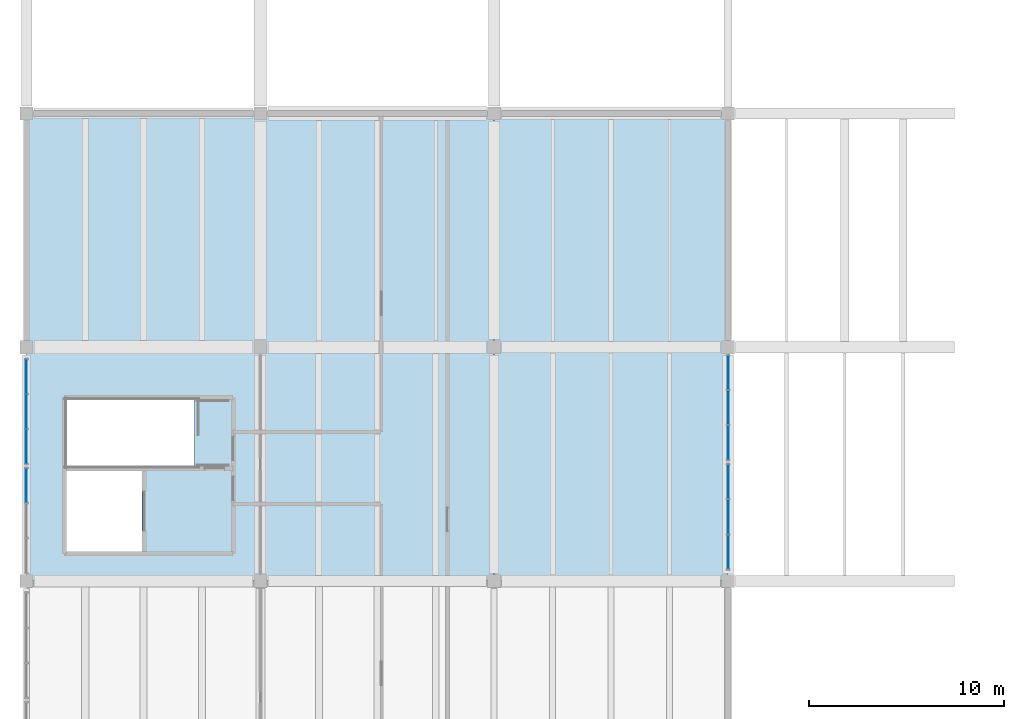
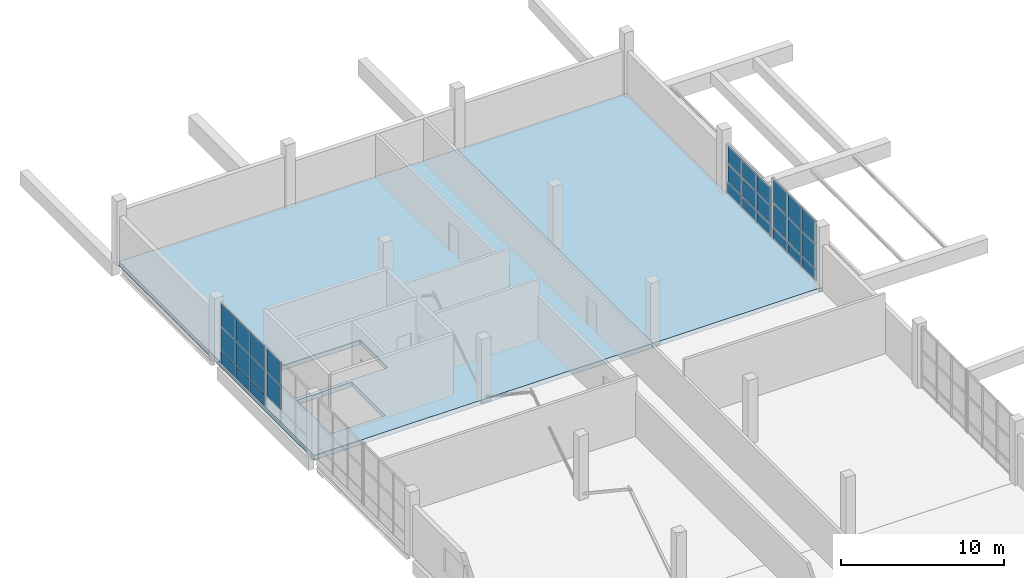
# One storey, part 29 of 49: 29 plates, 2 slabs, 4 elements without a shape of their own.
"""IFC4 building model written with IfcOpenShell, lengths in metres."""

from ifc_helpers import new_model, si_unit, direction, frame, origin, origin_2d, place, context, subcontext, project, spatial, polyline, rectangle, outline, extrude, material, layer, layer_set, type_object, element, aggregate, save


model = new_model("IFC4")

# Units and contexts
model_context = context("Model", 3, precision=1e-05, world=origin(), true_north=direction((0.0, 1.0)))
body_context = subcontext(model_context, "Body", "Model", "MODEL_VIEW")
ifc_project = project(units=[si_unit("LENGTHUNIT", "METRE"), si_unit("AREAUNIT", "SQUARE_METRE"), si_unit("VOLUMEUNIT", "CUBIC_METRE"), si_unit("PLANEANGLEUNIT", "RADIAN"), si_unit("MASSUNIT", "GRAM", prefix="KILO")], contexts=[model_context])

# Site, building, storey
site_placement = place(None, origin())
site = spatial("IfcSite", under=ifc_project, at=site_placement, CompositionType="ELEMENT")
building_placement = place(site_placement, origin())
building = spatial("IfcBuilding", under=site, at=building_placement, Name="Kamomehara Wholesale Market", CompositionType="ELEMENT")
storey_placement = place(building_placement, frame((0.0, 0.0, 11.39990234375)))
storey = spatial("IfcBuildingStorey", under=building, at=storey_placement, Name="L02", CompositionType="ELEMENT", Elevation=11.39990234375)

# Curtain wall, plates
ifc_material_1 = material(Name="Anodised aluminium 6063-T5", Category="aluminium")
curtain_wall_type_1 = type_object("IfcCurtainWallType", Name="CW-UN-10", PredefinedType="NOTDEFINED", material=ifc_material_1)
curtain_wall_1_placement = place(storey_placement, origin())
curtain_wall_1 = element("IfcCurtainWall", 1, at=curtain_wall_1_placement, inside=storey, type_object=curtain_wall_type_1, Name="Unitised curtain wall CW-007", PredefinedType="NOTDEFINED")
ifc_material_2 = material(Name="Solar-control Low-E double glazing", Category="glass")
ifc_layer_1 = layer(ifc_material_2, 0.028076171875)
ifc_layer_set_1 = layer_set([ifc_layer_1], Name="Solar-control Low-E double glazing")
plate_type_1 = type_object("IfcPlateType", Name="CW-PNL-GLZ", PredefinedType="CURTAIN_PANEL", material=ifc_layer_set_1)
plate_1_placement = place(storey_placement, frame((-0.02001953125, 124.89990234375, 0.9794921875), z_axis=(0.0, 0.0, 1.0), x_axis=(0.0, 1.0, 0.0)))
plate_1 = element("IfcPlate", 2, at=plate_1_placement, type_object=plate_type_1, Name="Curtain panel CW-007.2.1", PredefinedType="CURTAIN_PANEL", context=body_context, shape_type="SweptSolid", body=[
    extrude(rectangle(XDim=1.719970703125, YDim=0.028076171875, at=origin_2d()), origin(), (0.0, 0.0, 1.0), 1.764892578125),
])
plate_2_placement = place(storey_placement, frame((-0.02001953125, 124.89990234375, 2.8056640625), z_axis=(0.0, 0.0, 1.0), x_axis=(0.0, 1.0, 0.0)))
plate_2 = element("IfcPlate", 3, at=plate_2_placement, type_object=plate_type_1, Name="Curtain panel CW-007.2.2", PredefinedType="CURTAIN_PANEL", context=body_context, shape_type="SweptSolid", body=[
    extrude(rectangle(XDim=1.719970703125, YDim=0.028076171875, at=origin_2d()), origin(), (0.0, 0.0, 1.0), 1.72509765625),
])
aggregate(curtain_wall_1, [plate_1, plate_2])

curtain_wall_2_placement = place(storey_placement, origin())
curtain_wall_2 = element("IfcCurtainWall", 4, at=curtain_wall_2_placement, inside=storey, type_object=curtain_wall_type_1, Name="Unitised curtain wall CW-008", PredefinedType="NOTDEFINED")
plate_3_placement = place(storey_placement, frame((-0.02001953125, 126.89990234375, 0.9794921875), z_axis=(0.0, 0.0, 1.0), x_axis=(0.0, 1.0, 0.0)))
plate_3 = element("IfcPlate", 5, at=plate_3_placement, type_object=plate_type_1, Name="Curtain panel CW-008.0.1", PredefinedType="CURTAIN_PANEL", context=body_context, shape_type="SweptSolid", body=[
    extrude(rectangle(XDim=1.719970703125, YDim=0.028076171875, at=origin_2d()), origin(), (0.0, 0.0, 1.0), 1.764892578125),
])
plate_4_placement = place(storey_placement, frame((-0.02001953125, 126.89990234375, 2.8056640625), z_axis=(0.0, 0.0, 1.0), x_axis=(0.0, 1.0, 0.0)))
plate_4 = element("IfcPlate", 6, at=plate_4_placement, type_object=plate_type_1, Name="Curtain panel CW-008.0.2", PredefinedType="CURTAIN_PANEL", context=body_context, shape_type="SweptSolid", body=[
    extrude(rectangle(XDim=1.719970703125, YDim=0.028076171875, at=origin_2d()), origin(), (0.0, 0.0, 1.0), 1.72509765625),
])
plate_5_placement = place(storey_placement, frame((-0.02001953125, 128.699951171875, 0.9794921875), z_axis=(0.0, 0.0, 1.0), x_axis=(0.0, 1.0, 0.0)))
plate_5 = element("IfcPlate", 7, at=plate_5_placement, type_object=plate_type_1, Name="Curtain panel CW-008.1.1", PredefinedType="CURTAIN_PANEL", context=body_context, shape_type="SweptSolid", body=[
    extrude(rectangle(XDim=1.719970703125, YDim=0.028076171875, at=origin_2d()), origin(), (0.0, 0.0, 1.0), 1.764892578125),
])
plate_6_placement = place(storey_placement, frame((-0.02001953125, 128.699951171875, 2.8056640625), z_axis=(0.0, 0.0, 1.0), x_axis=(0.0, 1.0, 0.0)))
plate_6 = element("IfcPlate", 8, at=plate_6_placement, type_object=plate_type_1, Name="Curtain panel CW-008.1.2", PredefinedType="CURTAIN_PANEL", context=body_context, shape_type="SweptSolid", body=[
    extrude(rectangle(XDim=1.719970703125, YDim=0.028076171875, at=origin_2d()), origin(), (0.0, 0.0, 1.0), 1.72509765625),
])
plate_7_placement = place(storey_placement, frame((-0.02001953125, 130.5, 0.9794921875), z_axis=(0.0, 0.0, 1.0), x_axis=(0.0, 1.0, 0.0)))
plate_7 = element("IfcPlate", 9, at=plate_7_placement, type_object=plate_type_1, Name="Curtain panel CW-008.2.1", PredefinedType="CURTAIN_PANEL", context=body_context, shape_type="SweptSolid", body=[
    extrude(rectangle(XDim=1.719970703125, YDim=0.028076171875, at=origin_2d()), origin(), (0.0, 0.0, 1.0), 1.764892578125),
])
plate_8_placement = place(storey_placement, frame((-0.02001953125, 130.5, 2.8056640625), z_axis=(0.0, 0.0, 1.0), x_axis=(0.0, 1.0, 0.0)))
plate_8 = element("IfcPlate", 10, at=plate_8_placement, type_object=plate_type_1, Name="Curtain panel CW-008.2.2", PredefinedType="CURTAIN_PANEL", context=body_context, shape_type="SweptSolid", body=[
    extrude(rectangle(XDim=1.719970703125, YDim=0.028076171875, at=origin_2d()), origin(), (0.0, 0.0, 1.0), 1.72509765625),
])

ifc_material_3 = material(Name="Anodised aluminium 6063-T5", Category="aluminium")
curtain_wall_type_2 = type_object("IfcCurtainWallType", Name="CW-UN-07", PredefinedType="NOTDEFINED", material=ifc_material_3)
curtain_wall_3_placement = place(storey_placement, origin())
curtain_wall_3 = element("IfcCurtainWall", 11, at=curtain_wall_3_placement, inside=storey, type_object=curtain_wall_type_2, Name="Unitised curtain wall CW-013", PredefinedType="NOTDEFINED")
plate_9_placement = place(storey_placement, frame((36.02001953125, 130.699951171875, 0.9306640625), z_axis=(0.0, 0.0, 1.0), x_axis=(0.0, -1.0, 0.0)))
plate_9 = element("IfcPlate", 12, at=plate_9_placement, type_object=plate_type_1, Name="Curtain panel CW-013.0.1", PredefinedType="CURTAIN_PANEL", context=body_context, shape_type="SweptSolid", body=[
    extrude(rectangle(XDim=1.719970703125, YDim=0.028076171875, at=origin_2d()), origin(), (0.0, 0.0, 1.0), 1.35498046875),
])
plate_10_placement = place(storey_placement, frame((36.02001953125, 130.699951171875, 2.3447265625), z_axis=(0.0, 0.0, 1.0), x_axis=(0.0, -1.0, 0.0)))
plate_10 = element("IfcPlate", 13, at=plate_10_placement, type_object=plate_type_1, Name="Curtain panel CW-013.0.2", PredefinedType="CURTAIN_PANEL", context=body_context, shape_type="SweptSolid", body=[
    extrude(rectangle(XDim=1.719970703125, YDim=0.028076171875, at=origin_2d()), origin(), (0.0, 0.0, 1.0), 1.31494140625),
])
plate_11_placement = place(storey_placement, frame((36.02001953125, 128.89990234375, 0.9306640625), z_axis=(0.0, 0.0, 1.0), x_axis=(0.0, -1.0, 0.0)))
plate_11 = element("IfcPlate", 14, at=plate_11_placement, type_object=plate_type_1, Name="Curtain panel CW-013.1.1", PredefinedType="CURTAIN_PANEL", context=body_context, shape_type="SweptSolid", body=[
    extrude(rectangle(XDim=1.719970703125, YDim=0.028076171875, at=origin_2d()), origin(), (0.0, 0.0, 1.0), 1.35498046875),
])
plate_12_placement = place(storey_placement, frame((36.02001953125, 128.89990234375, 2.3447265625), z_axis=(0.0, 0.0, 1.0), x_axis=(0.0, -1.0, 0.0)))
plate_12 = element("IfcPlate", 15, at=plate_12_placement, type_object=plate_type_1, Name="Curtain panel CW-013.1.2", PredefinedType="CURTAIN_PANEL", context=body_context, shape_type="SweptSolid", body=[
    extrude(rectangle(XDim=1.719970703125, YDim=0.028076171875, at=origin_2d()), origin(), (0.0, 0.0, 1.0), 1.31494140625),
])
plate_13_placement = place(storey_placement, frame((36.02001953125, 127.10009765625, 0.9306640625), z_axis=(0.0, 0.0, 1.0), x_axis=(0.0, -1.0, 0.0)))
plate_13 = element("IfcPlate", 16, at=plate_13_placement, type_object=plate_type_1, Name="Curtain panel CW-013.2.1", PredefinedType="CURTAIN_PANEL", context=body_context, shape_type="SweptSolid", body=[
    extrude(rectangle(XDim=1.719970703125, YDim=0.028076171875, at=origin_2d()), origin(), (0.0, 0.0, 1.0), 1.35498046875),
])
plate_14_placement = place(storey_placement, frame((36.02001953125, 127.10009765625, 2.3447265625), z_axis=(0.0, 0.0, 1.0), x_axis=(0.0, -1.0, 0.0)))
plate_14 = element("IfcPlate", 17, at=plate_14_placement, type_object=plate_type_1, Name="Curtain panel CW-013.2.2", PredefinedType="CURTAIN_PANEL", context=body_context, shape_type="SweptSolid", body=[
    extrude(rectangle(XDim=1.719970703125, YDim=0.028076171875, at=origin_2d()), origin(), (0.0, 0.0, 1.0), 1.31494140625),
])

curtain_wall_4_placement = place(storey_placement, origin())
curtain_wall_4 = element("IfcCurtainWall", 18, at=curtain_wall_4_placement, inside=storey, type_object=curtain_wall_type_2, Name="Unitised curtain wall CW-014", PredefinedType="NOTDEFINED")
plate_15_placement = place(storey_placement, frame((36.02001953125, 125.10009765625, 0.93017578125), z_axis=(0.0, 0.0, 1.0), x_axis=(0.0, -1.0, 0.0)))
plate_15 = element("IfcPlate", 19, at=plate_15_placement, type_object=plate_type_1, Name="Curtain panel CW-014.0.1", PredefinedType="CURTAIN_PANEL", context=body_context, shape_type="SweptSolid", body=[
    extrude(rectangle(XDim=1.719970703125, YDim=0.028076171875, at=origin_2d()), origin(), (0.0, 0.0, 1.0), 1.7900390625),
])
plate_16_placement = place(storey_placement, frame((36.02001953125, 125.10009765625, 2.780029296875), z_axis=(0.0, 0.0, 1.0), x_axis=(0.0, -1.0, 0.0)))
plate_16 = element("IfcPlate", 20, at=plate_16_placement, type_object=plate_type_1, Name="Curtain panel CW-014.0.2", PredefinedType="CURTAIN_PANEL", context=body_context, shape_type="SweptSolid", body=[
    extrude(rectangle(XDim=1.719970703125, YDim=0.028076171875, at=origin_2d()), origin(), (0.0, 0.0, 1.0), 1.75),
])
plate_17_placement = place(storey_placement, frame((36.02001953125, 123.300048828125, 0.93017578125), z_axis=(0.0, 0.0, 1.0), x_axis=(0.0, -1.0, 0.0)))
plate_17 = element("IfcPlate", 21, at=plate_17_placement, type_object=plate_type_1, Name="Curtain panel CW-014.1.1", PredefinedType="CURTAIN_PANEL", context=body_context, shape_type="SweptSolid", body=[
    extrude(rectangle(XDim=1.719970703125, YDim=0.028076171875, at=origin_2d()), origin(), (0.0, 0.0, 1.0), 1.7900390625),
])
plate_18_placement = place(storey_placement, frame((36.02001953125, 123.300048828125, 2.780029296875), z_axis=(0.0, 0.0, 1.0), x_axis=(0.0, -1.0, 0.0)))
plate_18 = element("IfcPlate", 22, at=plate_18_placement, type_object=plate_type_1, Name="Curtain panel CW-014.1.2", PredefinedType="CURTAIN_PANEL", context=body_context, shape_type="SweptSolid", body=[
    extrude(rectangle(XDim=1.719970703125, YDim=0.028076171875, at=origin_2d()), origin(), (0.0, 0.0, 1.0), 1.75),
])
plate_19_placement = place(storey_placement, frame((36.02001953125, 121.5, 0.93017578125), z_axis=(0.0, 0.0, 1.0), x_axis=(0.0, -1.0, 0.0)))
plate_19 = element("IfcPlate", 23, at=plate_19_placement, type_object=plate_type_1, Name="Curtain panel CW-014.2.1", PredefinedType="CURTAIN_PANEL", context=body_context, shape_type="SweptSolid", body=[
    extrude(rectangle(XDim=1.719970703125, YDim=0.028076171875, at=origin_2d()), origin(), (0.0, 0.0, 1.0), 1.7900390625),
])
plate_20_placement = place(storey_placement, frame((36.02001953125, 121.5, 2.780029296875), z_axis=(0.0, 0.0, 1.0), x_axis=(0.0, -1.0, 0.0)))
plate_20 = element("IfcPlate", 24, at=plate_20_placement, type_object=plate_type_1, Name="Curtain panel CW-014.2.2", PredefinedType="CURTAIN_PANEL", context=body_context, shape_type="SweptSolid", body=[
    extrude(rectangle(XDim=1.719970703125, YDim=0.028076171875, at=origin_2d()), origin(), (0.0, 0.0, 1.0), 1.75),
])

# Plate
ifc_material_4 = material(Name="Insulated aluminium spandrel panel", Category="aluminium")
ifc_layer_2 = layer(ifc_material_4, 0.0400390625)
ifc_layer_set_2 = layer_set([ifc_layer_2], Name="Insulated aluminium spandrel panel")
plate_type_2 = type_object("IfcPlateType", Name="CW-PNL-SPN", PredefinedType="CURTAIN_PANEL", material=ifc_layer_set_2)
plate_21_placement = place(storey_placement, frame((-0.02001953125, 126.89990234375, 0.070068359375), z_axis=(0.0, 0.0, 1.0), x_axis=(0.0, 1.0, 0.0)))
plate_21 = element("IfcPlate", 25, at=plate_21_placement, type_object=plate_type_2, Name="Curtain panel CW-008.0.0", PredefinedType="CURTAIN_PANEL", context=body_context, shape_type="SweptSolid", body=[
    extrude(rectangle(XDim=1.719970703125, YDim=0.0400390625, at=origin_2d()), origin(), (0.0, 0.0, 1.0), 0.85009765625),
])

plate_22_placement = place(storey_placement, frame((-0.02001953125, 128.699951171875, 0.070068359375), z_axis=(0.0, 0.0, 1.0), x_axis=(0.0, 1.0, 0.0)))
plate_22 = element("IfcPlate", 26, at=plate_22_placement, type_object=plate_type_2, Name="Curtain panel CW-008.1.0", PredefinedType="CURTAIN_PANEL", context=body_context, shape_type="SweptSolid", body=[
    extrude(rectangle(XDim=1.719970703125, YDim=0.0400390625, at=origin_2d()), origin(), (0.0, 0.0, 1.0), 0.85009765625),
])

plate_23_placement = place(storey_placement, frame((-0.02001953125, 130.5, 0.070068359375), z_axis=(0.0, 0.0, 1.0), x_axis=(0.0, 1.0, 0.0)))
plate_23 = element("IfcPlate", 27, at=plate_23_placement, type_object=plate_type_2, Name="Curtain panel CW-008.2.0", PredefinedType="CURTAIN_PANEL", context=body_context, shape_type="SweptSolid", body=[
    extrude(rectangle(XDim=1.719970703125, YDim=0.0400390625, at=origin_2d()), origin(), (0.0, 0.0, 1.0), 0.85009765625),
])

aggregate(curtain_wall_2, [plate_21, plate_3, plate_4, plate_22, plate_5, plate_6, plate_23, plate_7, plate_8])

plate_24_placement = place(storey_placement, frame((36.02001953125, 130.699951171875, 0.0703125), z_axis=(0.0, 0.0, 1.0), x_axis=(0.0, -1.0, 0.0)))
plate_24 = element("IfcPlate", 28, at=plate_24_placement, type_object=plate_type_2, Name="Curtain panel CW-013.0.0", PredefinedType="CURTAIN_PANEL", context=body_context, shape_type="SweptSolid", body=[
    extrude(rectangle(XDim=1.719970703125, YDim=0.0400390625, at=origin_2d()), origin(), (0.0, 0.0, 1.0), 0.800048828125),
])

plate_25_placement = place(storey_placement, frame((36.02001953125, 128.89990234375, 0.0703125), z_axis=(0.0, 0.0, 1.0), x_axis=(0.0, -1.0, 0.0)))
plate_25 = element("IfcPlate", 29, at=plate_25_placement, type_object=plate_type_2, Name="Curtain panel CW-013.1.0", PredefinedType="CURTAIN_PANEL", context=body_context, shape_type="SweptSolid", body=[
    extrude(rectangle(XDim=1.719970703125, YDim=0.0400390625, at=origin_2d()), origin(), (0.0, 0.0, 1.0), 0.800048828125),
])

plate_26_placement = place(storey_placement, frame((36.02001953125, 127.10009765625, 0.0703125), z_axis=(0.0, 0.0, 1.0), x_axis=(0.0, -1.0, 0.0)))
plate_26 = element("IfcPlate", 30, at=plate_26_placement, type_object=plate_type_2, Name="Curtain panel CW-013.2.0", PredefinedType="CURTAIN_PANEL", context=body_context, shape_type="SweptSolid", body=[
    extrude(rectangle(XDim=1.719970703125, YDim=0.0400390625, at=origin_2d()), origin(), (0.0, 0.0, 1.0), 0.800048828125),
])

aggregate(curtain_wall_3, [plate_24, plate_9, plate_10, plate_25, plate_11, plate_12, plate_26, plate_13, plate_14])

plate_27_placement = place(storey_placement, frame((36.02001953125, 125.10009765625, 0.0703125), z_axis=(0.0, 0.0, 1.0), x_axis=(0.0, -1.0, 0.0)))
plate_27 = element("IfcPlate", 31, at=plate_27_placement, type_object=plate_type_2, Name="Curtain panel CW-014.0.0", PredefinedType="CURTAIN_PANEL", context=body_context, shape_type="SweptSolid", body=[
    extrude(rectangle(XDim=1.719970703125, YDim=0.0400390625, at=origin_2d()), origin(), (0.0, 0.0, 1.0), 0.800048828125),
])

plate_28_placement = place(storey_placement, frame((36.02001953125, 123.300048828125, 0.0703125), z_axis=(0.0, 0.0, 1.0), x_axis=(0.0, -1.0, 0.0)))
plate_28 = element("IfcPlate", 32, at=plate_28_placement, type_object=plate_type_2, Name="Curtain panel CW-014.1.0", PredefinedType="CURTAIN_PANEL", context=body_context, shape_type="SweptSolid", body=[
    extrude(rectangle(XDim=1.719970703125, YDim=0.0400390625, at=origin_2d()), origin(), (0.0, 0.0, 1.0), 0.800048828125),
])

plate_29_placement = place(storey_placement, frame((36.02001953125, 121.5, 0.0703125), z_axis=(0.0, 0.0, 1.0), x_axis=(0.0, -1.0, 0.0)))
plate_29 = element("IfcPlate", 33, at=plate_29_placement, type_object=plate_type_2, Name="Curtain panel CW-014.2.0", PredefinedType="CURTAIN_PANEL", context=body_context, shape_type="SweptSolid", body=[
    extrude(rectangle(XDim=1.719970703125, YDim=0.0400390625, at=origin_2d()), origin(), (0.0, 0.0, 1.0), 0.800048828125),
])

aggregate(curtain_wall_4, [plate_27, plate_15, plate_16, plate_28, plate_17, plate_18, plate_29, plate_19, plate_20])

# Slabs
ifc_material_5 = material(Name="Concrete Fc36 (C35/45)", Category="concrete")
ifc_layer_3 = layer(ifc_material_5, 0.330078125)
ifc_layer_set_3 = layer_set([ifc_layer_3], Name="Concrete Fc36 (C35/45)")
slab_type_1 = type_object("IfcSlabType", Name="SLB-FLR-260", PredefinedType="FLOOR", material=ifc_layer_set_3)
slab_1_placement = place(storey_placement, frame((0.0, 0.0, -0.329833984375)))
element("IfcSlab", 34, at=slab_1_placement, inside=storey, type_object=slab_type_1, Name="Floor slab V3 L02 117", PredefinedType="FLOOR", context=body_context, shape_type="SweptSolid", body=[
    extrude(outline(polyline([(36.0, 120.0), (24.0, 120.0), (24.0, 144.0), (36.0, 144.0), (36.0, 120.0)])), origin(), (0.0, 0.0, 1.0), 0.329833984375),
])
ifc_material_6 = material(Name="Concrete Fc36 (C35/45)", Category="concrete")
ifc_layer_4 = layer(ifc_material_6, 0.35009765625)
ifc_layer_set_4 = layer_set([ifc_layer_4], Name="Concrete Fc36 (C35/45)")
slab_type_2 = type_object("IfcSlabType", Name="SLB-FLR-300", PredefinedType="FLOOR", material=ifc_layer_set_4)
slab_2_placement = place(storey_placement, frame((0.0, 0.0, -0.349853515625)))
element("IfcSlab", 35, at=slab_2_placement, inside=storey, type_object=slab_type_2, Name="Floor slab V3 L02 113", PredefinedType="FLOOR", context=body_context, shape_type="SweptSolid", body=[
    extrude(outline(polyline([(24.0, 120.0), (0.0, 120.0), (0.0, 144.0), (24.0, 144.0), (24.0, 120.0)]), holes=[polyline([(8.6298828125, 125.89990234375), (8.6298828125, 129.300048828125), (2.050048828125, 129.300048828125), (2.050048828125, 125.89990234375), (8.6298828125, 125.89990234375)]), polyline([(5.929931640625, 121.52001953125), (5.929931640625, 125.659912109375), (2.050048828125, 125.659912109375), (2.050048828125, 121.52001953125), (5.929931640625, 121.52001953125)])]), origin(), (0.0, 0.0, 1.0), 0.349853515625),
])

save(model, "model.ifc")
